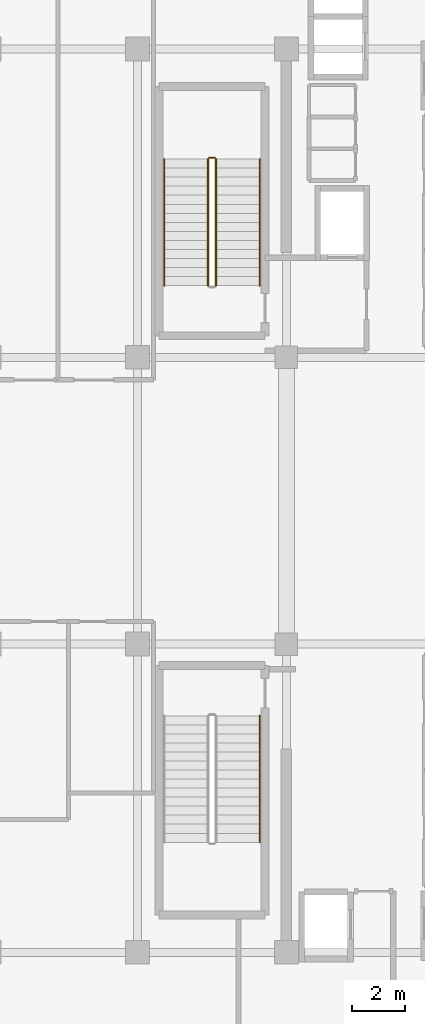
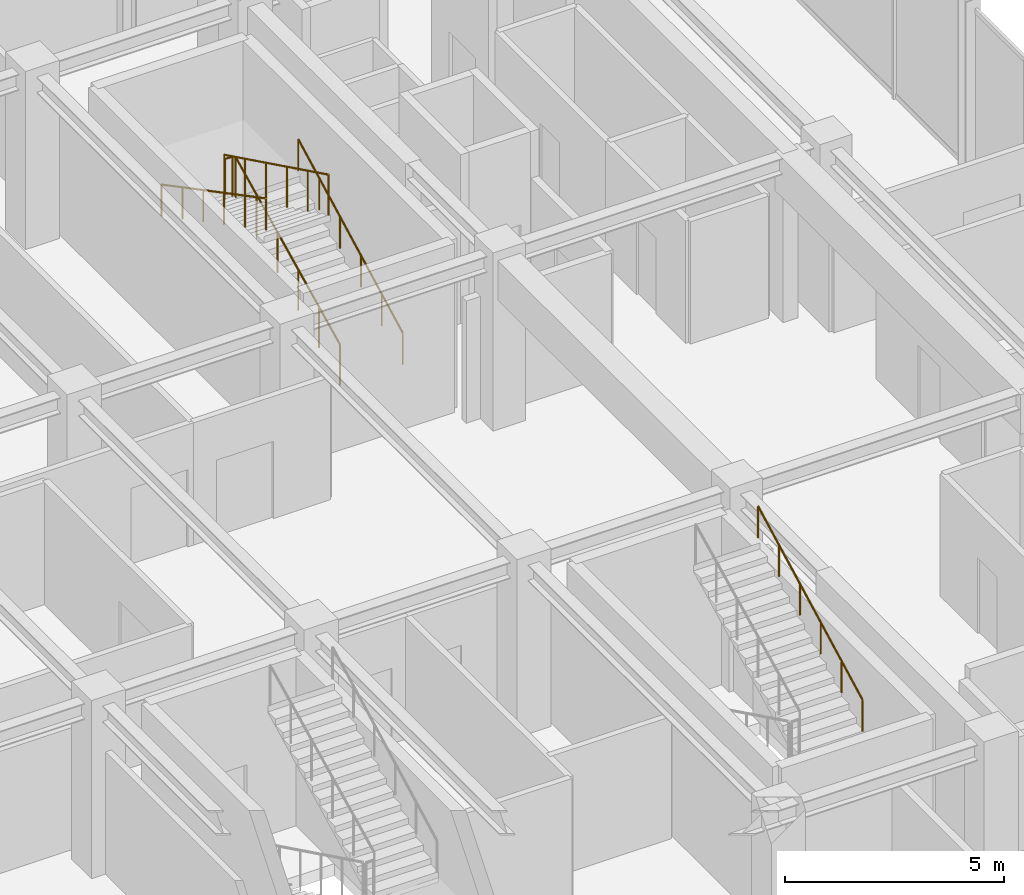
# One storey, part 27 of 28: 6 railings.
"""IFC4 building model written with IfcOpenShell, lengths in metres."""

from ifc_helpers import new_model, si_unit, direction, frame, origin, origin_2d, place, context, subcontext, project, spatial, circle, extrude, material, type_object, element, save


model = new_model("IFC4")

# Units and contexts
model_context = context("Model", 3, precision=1e-05, world=origin(), true_north=direction((0.0, 1.0)))
body_context = subcontext(model_context, "Body", "Model", "MODEL_VIEW")
ifc_project = project(units=[si_unit("LENGTHUNIT", "METRE"), si_unit("AREAUNIT", "SQUARE_METRE"), si_unit("VOLUMEUNIT", "CUBIC_METRE"), si_unit("PLANEANGLEUNIT", "RADIAN"), si_unit("MASSUNIT", "GRAM", prefix="KILO")], contexts=[model_context])

# Site, building, storey
site_placement = place(None, origin())
site = spatial("IfcSite", under=ifc_project, at=site_placement, CompositionType="ELEMENT")
building_placement = place(site_placement, origin())
building = spatial("IfcBuilding", under=site, at=building_placement, Name="Nahalor Promenade Grand Hotel", CompositionType="ELEMENT")
storey_placement = place(building_placement, frame((0.0, 0.0, 352.050048828125)))
storey = spatial("IfcBuildingStorey", under=building, at=storey_placement, Name="L90", CompositionType="ELEMENT", Elevation=352.050048828125)

# Railings
ifc_material = material(Name="Steel S355JR", Category="steel")
railing_type_1 = type_object("IfcRailingType", Name="Steel Stair Guardrail 1150 mm", PredefinedType="GUARDRAIL", material=ifc_material)
railing_1_placement = place(storey_placement, frame((5.75, 8.10009765625, 0.16650390625)))
element("IfcRailing", 1, at=railing_1_placement, inside=storey, type_object=railing_type_1, Name="L90 ST1 stair guard 1", PredefinedType="GUARDRAIL", context=body_context, shape_type="SweptSolid", body=[
    extrude(circle(Radius=0.024048, at=origin_2d()), frame((0.0, 0.0, 1.1259765625), z_axis=(0.0, 0.897908944879, 0.44018124302), x_axis=(-1.0, 0.0, 0.0)), (0.0, 0.0, 1.0), 5.30126953125),
    extrude(circle(Radius=0.020996, at=origin_2d()), origin(), (0.0, 0.0, 1.0), 1.099853515625),
    extrude(circle(Radius=0.020996, at=origin_2d()), frame((0.0, 0.951904296875, 0.466796875)), (0.0, 0.0, 1.0), 1.099853515625),
    extrude(circle(Radius=0.020996, at=origin_2d()), frame((0.0, 1.904052734375, 0.933349609375)), (0.0, 0.0, 1.0), 1.099853515625),
    extrude(circle(Radius=0.020996, at=origin_2d()), frame((0.0, 2.85595703125, 1.400146484375)), (0.0, 0.0, 1.0), 1.099853515625),
    extrude(circle(Radius=0.020996, at=origin_2d()), frame((0.0, 3.80810546875, 1.86669921875)), (0.0, 0.0, 1.0), 1.099853515625),
    extrude(circle(Radius=0.020996, at=origin_2d()), frame((0.0, 4.760009765625, 2.33349609375)), (0.0, 0.0, 1.0), 1.099853515625),
])
railing_2_placement = place(storey_placement, frame((5.699951171875, 12.909912109375, 2.5)))
element("IfcRailing", 2, at=railing_2_placement, inside=storey, type_object=railing_type_1, Name="L90 ST1 stair guard 2", PredefinedType="GUARDRAIL", context=body_context, shape_type="SweptSolid", body=[
    extrude(circle(Radius=0.024048, at=origin_2d()), frame((0.0, 0.0, 1.1259765625), z_axis=(-1.0, 0.0, 0.0), x_axis=(0.0, -1.0, 0.0)), (0.0, 0.0, 1.0), 0.199951171875),
    extrude(circle(Radius=0.020996, at=origin_2d()), origin(), (0.0, 0.0, 1.0), 1.099853515625),
    extrude(circle(Radius=0.020996, at=origin_2d()), frame((-0.199951171875, 0.0, 0.0)), (0.0, 0.0, 1.0), 1.099853515625),
])
railing_3_placement = place(storey_placement, frame((5.449951171875, 12.860107421875, 2.66650390625)))
element("IfcRailing", 3, at=railing_3_placement, inside=storey, type_object=railing_type_1, Name="L90 ST1 stair guard 3", PredefinedType="GUARDRAIL", context=body_context, shape_type="SweptSolid", body=[
    extrude(circle(Radius=0.024048, at=origin_2d()), frame((0.0, 0.0, 1.1259765625), z_axis=(0.0, -0.897908944879, 0.44018124302), x_axis=(1.0, 0.0, 0.0)), (0.0, 0.0, 1.0), 5.30126953125),
    extrude(circle(Radius=0.020996, at=origin_2d()), origin(), (0.0, 0.0, 1.0), 1.099853515625),
    extrude(circle(Radius=0.020996, at=origin_2d()), frame((0.0, -0.951904296875, 0.466796875)), (0.0, 0.0, 1.0), 1.099853515625),
    extrude(circle(Radius=0.020996, at=origin_2d()), frame((0.0, -1.904052734375, 0.933349609375)), (0.0, 0.0, 1.0), 1.099853515625),
    extrude(circle(Radius=0.020996, at=origin_2d()), frame((0.0, -2.85595703125, 1.400146484375)), (0.0, 0.0, 1.0), 1.099853515625),
    extrude(circle(Radius=0.020996, at=origin_2d()), frame((0.0, -3.80810546875, 1.86669921875)), (0.0, 0.0, 1.0), 1.099853515625),
    extrude(circle(Radius=0.020996, at=origin_2d()), frame((0.0, -4.760009765625, 2.33349609375)), (0.0, 0.0, 1.0), 1.099853515625),
])
railing_type_2 = type_object("IfcRailingType", Name="Steel Stair Handrail 900 mm", PredefinedType="HANDRAIL", material=ifc_material)
railing_4_placement = place(storey_placement, frame((7.39990234375, 8.10009765625, 0.16650390625)))
element("IfcRailing", 4, at=railing_4_placement, inside=storey, type_object=railing_type_2, Name="L90 ST1 stair handrail 1", PredefinedType="HANDRAIL", context=body_context, shape_type="SweptSolid", body=[
    extrude(circle(Radius=0.024048, at=origin_2d()), frame((0.0, 0.0, 0.8759765625), z_axis=(0.0, 0.885321736165, 0.464978949496), x_axis=(-1.0, 0.0, 0.0)), (0.0, 0.0, 1.0), 5.376708984375),
    extrude(circle(Radius=0.020996, at=origin_2d()), origin(), (0.0, 0.0, 1.0), 0.849853515625),
    extrude(circle(Radius=0.020996, at=origin_2d()), frame((0.0, 0.951904296875, 0.5)), (0.0, 0.0, 1.0), 0.849853515625),
    extrude(circle(Radius=0.020996, at=origin_2d()), frame((0.0, 1.904052734375, 1.0)), (0.0, 0.0, 1.0), 0.849853515625),
    extrude(circle(Radius=0.020996, at=origin_2d()), frame((0.0, 2.85595703125, 1.5)), (0.0, 0.0, 1.0), 0.849853515625),
    extrude(circle(Radius=0.020996, at=origin_2d()), frame((0.0, 3.80810546875, 2.0)), (0.0, 0.0, 1.0), 0.849853515625),
    extrude(circle(Radius=0.020996, at=origin_2d()), frame((0.0, 4.760009765625, 2.5)), (0.0, 0.0, 1.0), 0.849853515625),
])
railing_5_placement = place(storey_placement, frame((3.800048828125, 12.860107421875, 2.66650390625)))
element("IfcRailing", 5, at=railing_5_placement, inside=storey, type_object=railing_type_2, Name="L90 ST1 stair handrail 2", PredefinedType="HANDRAIL", context=body_context, shape_type="SweptSolid", body=[
    extrude(circle(Radius=0.024048, at=origin_2d()), frame((0.0, 0.0, 0.8759765625), z_axis=(0.0, -0.885321736165, 0.464978949496), x_axis=(1.0, 0.0, 0.0)), (0.0, 0.0, 1.0), 5.376708984375),
    extrude(circle(Radius=0.020996, at=origin_2d()), origin(), (0.0, 0.0, 1.0), 0.849853515625),
    extrude(circle(Radius=0.020996, at=origin_2d()), frame((0.0, -0.951904296875, 0.5)), (0.0, 0.0, 1.0), 0.849853515625),
    extrude(circle(Radius=0.020996, at=origin_2d()), frame((0.0, -1.904052734375, 1.0)), (0.0, 0.0, 1.0), 0.849853515625),
    extrude(circle(Radius=0.020996, at=origin_2d()), frame((0.0, -2.85595703125, 1.5)), (0.0, 0.0, 1.0), 0.849853515625),
    extrude(circle(Radius=0.020996, at=origin_2d()), frame((0.0, -3.80810546875, 2.0)), (0.0, 0.0, 1.0), 0.849853515625),
    extrude(circle(Radius=0.020996, at=origin_2d()), frame((0.0, -4.760009765625, 2.5)), (0.0, 0.0, 1.0), 0.849853515625),
])
railing_6_placement = place(storey_placement, frame((7.39990234375, -12.860107421875, 2.66650390625)))
element("IfcRailing", 6, at=railing_6_placement, inside=storey, type_object=railing_type_2, Name="L90 ST2 stair handrail 2", PredefinedType="HANDRAIL", context=body_context, shape_type="SweptSolid", body=[
    extrude(circle(Radius=0.024048, at=origin_2d()), frame((0.0, 0.0, 0.8759765625), z_axis=(0.0, 0.885321736165, 0.464978949496), x_axis=(-1.0, 0.0, 0.0)), (0.0, 0.0, 1.0), 5.376708984375),
    extrude(circle(Radius=0.020996, at=origin_2d()), origin(), (0.0, 0.0, 1.0), 0.849853515625),
    extrude(circle(Radius=0.020996, at=origin_2d()), frame((0.0, 0.951904296875, 0.5)), (0.0, 0.0, 1.0), 0.849853515625),
    extrude(circle(Radius=0.020996, at=origin_2d()), frame((0.0, 1.904052734375, 1.0)), (0.0, 0.0, 1.0), 0.849853515625),
    extrude(circle(Radius=0.020996, at=origin_2d()), frame((0.0, 2.85595703125, 1.5)), (0.0, 0.0, 1.0), 0.849853515625),
    extrude(circle(Radius=0.020996, at=origin_2d()), frame((0.0, 3.80810546875, 2.0)), (0.0, 0.0, 1.0), 0.849853515625),
    extrude(circle(Radius=0.020996, at=origin_2d()), frame((0.0, 4.760009765625, 2.5)), (0.0, 0.0, 1.0), 0.849853515625),
])

save(model, "model.ifc")
